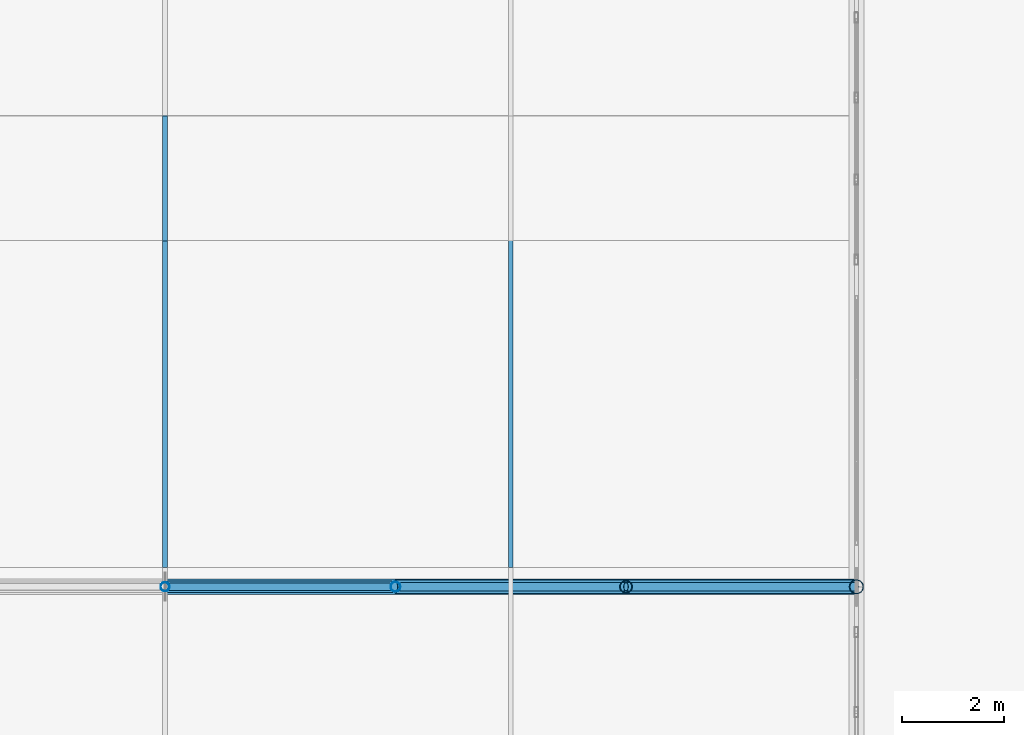
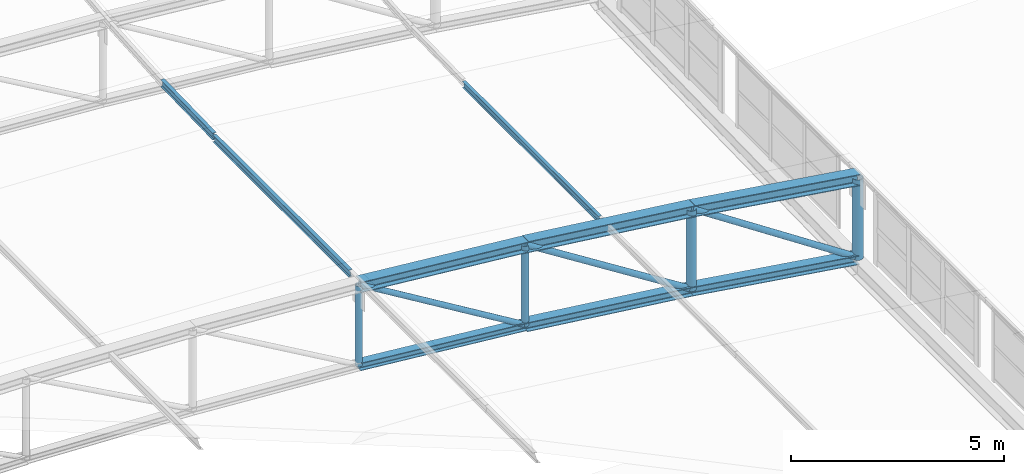
# One storey, part 120 of 262: 16 members.
"""IFC4 building model written with IfcOpenShell, lengths in metres."""

from ifc_helpers import new_model, si_unit, derived_unit, direction, frame, origin, origin_2d, place, context, subcontext, project, spatial, hollow_circle, i_section, extrude, material, material_profile, profile_set, type_object, element, save


model = new_model("IFC4")

# Units and contexts
model_context = context("Model", 3, precision=1e-05, world=origin(), true_north=direction((0.0, 1.0)))
body_context = subcontext(model_context, "Body", "Model", "MODEL_VIEW")
ifc_project = project(units=[si_unit("LENGTHUNIT", "METRE"), si_unit("AREAUNIT", "SQUARE_METRE"), si_unit("VOLUMEUNIT", "CUBIC_METRE"), si_unit("PLANEANGLEUNIT", "RADIAN"), si_unit("MASSUNIT", "GRAM", prefix="KILO"), derived_unit("THERMALTRANSMITTANCEUNIT", [(si_unit("POWERUNIT", "WATT"), 1), (si_unit("LENGTHUNIT", "METRE"), -2), (si_unit("THERMODYNAMICTEMPERATUREUNIT", "KELVIN"), -1)])], contexts=[model_context])

# Site, building, storey
site_placement = place(None, origin())
site = spatial("IfcSite", under=ifc_project, at=site_placement, CompositionType="ELEMENT")
building_placement = place(site_placement, origin())
building = spatial("IfcBuilding", under=site, at=building_placement, Name="Almenara Railside Exhibition Hall", CompositionType="ELEMENT")
storey_placement = place(building_placement, frame((0.0, 0.0, 21.699951171875)))
storey = spatial("IfcBuildingStorey", under=building, at=storey_placement, Name="RF", CompositionType="ELEMENT", Elevation=21.699951171875)

# Members
ifc_material = material(Name="Structural steel S355JR", Category="steel")
ifc_material_profile_1 = material_profile(ifc_material, i_section(OverallWidth=0.300048828125, OverallDepth=0.300048828125, WebThickness=0.010986328125, FlangeThickness=0.01904296875, FilletRadius=0.027099609375, at=origin_2d()), Name="HEB 300")
ifc_profile_set_1 = profile_set([ifc_material_profile_1], Name="Structural steel S355JR")
member_type_1 = type_object("IfcMemberType", Name="Arched Inner Top Chord HEB 300 S355JR", PredefinedType="CHORD", material=ifc_profile_set_1)
member_1_placement = place(storey_placement, frame((52.5, 96.0, 1.550048828125), z_axis=(0.995512933083, 0.0, -0.094625578275), x_axis=(0.0, 1.0, 0.0)))
element("IfcMember", 1, at=member_1_placement, inside=storey, type_object=member_type_1, Name="MEM-TC-V1-04-09", PredefinedType="CHORD", context=body_context, shape_type="SweptSolid", body=[
    extrude(i_section(OverallWidth=0.300048828125, OverallDepth=0.300048828125, WebThickness=0.010986328125, FlangeThickness=0.01904296875, FilletRadius=0.027099609375, at=origin_2d()), origin(), (0.0, 0.0, 1.0), 4.520263671875),
])
ifc_material_profile_2 = material_profile(ifc_material, i_section(OverallWidth=0.260009765625, OverallDepth=0.260009765625, WebThickness=0.010009765625, FlangeThickness=0.017578125, FilletRadius=0.02392578125, at=origin_2d()), Name="HEB 260")
ifc_profile_set_2 = profile_set([ifc_material_profile_2], Name="Structural steel S355JR")
member_type_2 = type_object("IfcMemberType", Name="Arched Truss Bottom Chord HEB 260 S355JR", PredefinedType="CHORD", material=ifc_profile_set_2)
member_2_placement = place(storey_placement, frame((57.0, 96.0, -1.177734375), z_axis=(0.992612220818, 0.0, -0.121330041965), x_axis=(0.0, 1.0, 0.0)))
element("IfcMember", 2, at=member_2_placement, inside=storey, type_object=member_type_2, Name="MEM-BC-V1-04-10", PredefinedType="CHORD", context=body_context, shape_type="SweptSolid", body=[
    extrude(i_section(OverallWidth=0.260009765625, OverallDepth=0.260009765625, WebThickness=0.010009765625, FlangeThickness=0.017578125, FilletRadius=0.02392578125, at=origin_2d()), origin(), (0.0, 0.0, 1.0), 4.533447265625),
])
member_3_placement = place(storey_placement, frame((61.5, 96.0, -1.727783203125), z_axis=(0.9890290442, 0.0, -0.147721189165), x_axis=(0.0, 1.0, 0.0)))
element("IfcMember", 3, at=member_3_placement, inside=storey, type_object=member_type_2, Name="MEM-BC-V1-04-11", PredefinedType="CHORD", context=body_context, shape_type="SweptSolid", body=[
    extrude(i_section(OverallWidth=0.260009765625, OverallDepth=0.260009765625, WebThickness=0.010009765625, FlangeThickness=0.017578125, FilletRadius=0.02392578125, at=origin_2d()), origin(), (0.0, 0.0, 1.0), 4.5498046875),
])
ifc_material_profile_3 = material_profile(ifc_material, i_section(OverallWidth=0.300048828125, OverallDepth=0.320068359375, WebThickness=0.011474609375, FlangeThickness=0.0205078125, FilletRadius=0.027099609375, at=origin_2d()), Name="HEB 320")
ifc_profile_set_3 = profile_set([ifc_material_profile_3], Name="Structural steel S355JR")
member_type_3 = type_object("IfcMemberType", Name="Arched Truss Top Chord HEB 320 S355JR", PredefinedType="CHORD", material=ifc_profile_set_3)
member_4_placement = place(storey_placement, frame((57.0, 96.0, 1.122314453125), z_axis=(0.992612220818, 0.0, -0.121330041965), x_axis=(0.0, 1.0, 0.0)))
element("IfcMember", 4, at=member_4_placement, inside=storey, type_object=member_type_3, Name="MEM-TC-V1-04-10", PredefinedType="CHORD", context=body_context, shape_type="SweptSolid", body=[
    extrude(i_section(OverallWidth=0.300048828125, OverallDepth=0.320068359375, WebThickness=0.011474609375, FlangeThickness=0.0205078125, FilletRadius=0.027099609375, at=origin_2d()), origin(), (0.0, 0.0, 1.0), 4.533447265625),
])
member_5_placement = place(storey_placement, frame((61.5, 96.0, 0.572265625), z_axis=(0.9890290442, 0.0, -0.147721189165), x_axis=(0.0, 1.0, 0.0)))
element("IfcMember", 5, at=member_5_placement, inside=storey, type_object=member_type_3, Name="MEM-TC-V1-04-11", PredefinedType="CHORD", context=body_context, shape_type="SweptSolid", body=[
    extrude(i_section(OverallWidth=0.300048828125, OverallDepth=0.320068359375, WebThickness=0.011474609375, FlangeThickness=0.0205078125, FilletRadius=0.027099609375, at=origin_2d()), origin(), (0.0, 0.0, 1.0), 4.5498046875),
])
ifc_material_profile_4 = material_profile(ifc_material, i_section(OverallWidth=0.091064453125, OverallDepth=0.179931640625, WebThickness=0.00537109375, FlangeThickness=0.008056640625, FilletRadius=0.009033203125, at=origin_2d()), Name="IPE 180")
ifc_profile_set_4 = profile_set([ifc_material_profile_4], Name="Structural steel S355JR")
member_type_4 = type_object("IfcMemberType", Name="Plenary Roof Purlin IPE 180 S355JR", PredefinedType="PURLIN", material=ifc_profile_set_4)
member_6_placement = place(storey_placement, frame((59.25, 96.3798828125, 0.8212890625), z_axis=(0.0, 1.0, 0.0), x_axis=(-1.0, 0.0, 0.0)))
element("IfcMember", 6, at=member_6_placement, inside=storey, type_object=member_type_4, Name="MEM-PR-V1-PR-IPE180-07-15", PredefinedType="PURLIN", context=body_context, shape_type="SweptSolid", body=[
    extrude(i_section(OverallWidth=0.091064453125, OverallDepth=0.179931640625, WebThickness=0.00537109375, FlangeThickness=0.008056640625, FilletRadius=0.009033203125, at=origin_2d()), origin(), (0.0, 0.0, 1.0), 6.379638671875),
])
ifc_material_profile_5 = material_profile(ifc_material, i_section(OverallWidth=0.219970703125, OverallDepth=0.219970703125, WebThickness=0.009521484375, FlangeThickness=0.01611328125, FilletRadius=0.01806640625, at=origin_2d()), Name="HEB 220")
ifc_profile_set_5 = profile_set([ifc_material_profile_5], Name="Structural steel S355JR")
member_type_5 = type_object("IfcMemberType", Name="Scroll Tie Chord HEB 220 S355JR", PredefinedType="CHORD", material=ifc_profile_set_5)
member_7_placement = place(storey_placement, frame((52.5, 96.0, -0.75), z_axis=(0.995512933083, 0.0, -0.094625578275), x_axis=(0.0, 1.0, 0.0)))
element("IfcMember", 7, at=member_7_placement, inside=storey, type_object=member_type_5, Name="MEM-BC-V1-04-09", PredefinedType="CHORD", context=body_context, shape_type="SweptSolid", body=[
    extrude(i_section(OverallWidth=0.219970703125, OverallDepth=0.219970703125, WebThickness=0.009521484375, FlangeThickness=0.01611328125, FilletRadius=0.01806640625, at=origin_2d()), origin(), (0.0, 0.0, 1.0), 4.520263671875),
])
ifc_material_profile_6 = material_profile(ifc_material, i_section(OverallWidth=0.10009765625, OverallDepth=0.199951171875, WebThickness=0.005615234375, FlangeThickness=0.008544921875, FilletRadius=0.011962890625, at=origin_2d()), Name="IPE 200")
ifc_profile_set_6 = profile_set([ifc_material_profile_6], Name="Structural steel S355JR")
member_type_6 = type_object("IfcMemberType", Name="Standard Hall Roof Purlin IPE 200 S355JR", PredefinedType="PURLIN", material=ifc_profile_set_6)
member_8_placement = place(storey_placement, frame((52.5, 96.3798828125, 1.638427734375), z_axis=(0.0, 1.0, 0.0), x_axis=(-1.0, 0.0, 0.0)))
element("IfcMember", 8, at=member_8_placement, inside=storey, type_object=member_type_6, Name="MEM-PR-V1-PR-IPE200-06-15", PredefinedType="PURLIN", context=body_context, shape_type="SweptSolid", body=[
    extrude(i_section(OverallWidth=0.10009765625, OverallDepth=0.199951171875, WebThickness=0.005615234375, FlangeThickness=0.008544921875, FilletRadius=0.011962890625, at=origin_2d()), origin(), (0.0, 0.0, 1.0), 6.379638671875),
])
member_9_placement = place(storey_placement, frame((52.5, 102.759521484375, 1.6884765625), z_axis=(0.0, 0.999725289903, 0.023438104182), x_axis=(-1.0, 0.0, 0.0)))
element("IfcMember", 9, at=member_9_placement, inside=storey, type_object=member_type_6, Name="MEM-PR-V1-PR-IPE200-06-16", PredefinedType="PURLIN", context=body_context, shape_type="SweptSolid", body=[
    extrude(i_section(OverallWidth=0.10009765625, OverallDepth=0.199951171875, WebThickness=0.005615234375, FlangeThickness=0.008544921875, FilletRadius=0.011962890625, at=origin_2d()), origin(), (0.0, 0.0, 1.0), 2.4375),
])
ifc_material_profile_7 = material_profile(ifc_material, hollow_circle(Radius=0.084228515625, WallThickness=0.006103515625, at=origin_2d()), Name="CHS 168.3x6")
ifc_profile_set_7 = profile_set([ifc_material_profile_7], Name="Structural steel S355JR")
member_type_7 = type_object("IfcMemberType", Name="Truss End Diagonal CHS 168.3x6 S355JR", PredefinedType="BRACE", material=ifc_profile_set_7)
member_10_placement = place(storey_placement, frame((57.0, 96.0, 1.122314453125), z_axis=(0.844810788273, 0.0, -0.535065166141), x_axis=(0.0, 1.0, 0.0)))
element("IfcMember", 10, at=member_10_placement, inside=storey, type_object=member_type_7, Name="MEM-TD-V1-04-10", PredefinedType="BRACE", context=body_context, shape_type="SweptSolid", body=[
    extrude(hollow_circle(Radius=0.084228515625, WallThickness=0.006103515625, at=origin_2d()), origin(), (0.0, 0.0, 1.0), 5.32666015625),
])
member_11_placement = place(storey_placement, frame((61.5, 96.0, 0.572265625), z_axis=(0.834424544227, 0.0, -0.551122200598), x_axis=(0.0, 1.0, 0.0)))
element("IfcMember", 11, at=member_11_placement, inside=storey, type_object=member_type_7, Name="MEM-TD-V1-04-11", PredefinedType="BRACE", context=body_context, shape_type="SweptSolid", body=[
    extrude(hollow_circle(Radius=0.084228515625, WallThickness=0.006103515625, at=origin_2d()), origin(), (0.0, 0.0, 1.0), 5.392822265625),
])
ifc_material_profile_8 = material_profile(ifc_material, hollow_circle(Radius=0.122314453125, WallThickness=0.008056640625, at=origin_2d()), Name="CHS 244.5x8")
ifc_profile_set_8 = profile_set([ifc_material_profile_8], Name="Structural steel S355JR")
member_type_8 = type_object("IfcMemberType", Name="Truss Haunch Vertical Strut CHS 244.5x8 S355JR", PredefinedType="BRACE", material=ifc_profile_set_8)
member_12_placement = place(storey_placement, frame((61.5, 96.0, -1.727783203125), z_axis=(0.0, 0.0, 1.0), x_axis=(1.0, 0.0, 0.0)))
element("IfcMember", 12, at=member_12_placement, inside=storey, type_object=member_type_8, Name="MEM-TV-V1-04-11", PredefinedType="BRACE", context=body_context, shape_type="SweptSolid", body=[
    extrude(hollow_circle(Radius=0.122314453125, WallThickness=0.008056640625, at=origin_2d()), origin(), (0.0, 0.0, 1.0), 2.300048828125),
])
ifc_material_profile_9 = material_profile(ifc_material, hollow_circle(Radius=0.076171875, WallThickness=0.0048828125, at=origin_2d()), Name="CHS 152.4x5")
ifc_profile_set_9 = profile_set([ifc_material_profile_9], Name="Structural steel S355JR")
member_type_9 = type_object("IfcMemberType", Name="Truss Mid Diagonal CHS 152.4x5 S355JR", PredefinedType="BRACE", material=ifc_profile_set_9)
member_13_placement = place(storey_placement, frame((52.5, 96.0, 1.550048828125), z_axis=(0.855154829777, 0.0, -0.518372662386), x_axis=(0.0, 1.0, 0.0)))
element("IfcMember", 13, at=member_13_placement, inside=storey, type_object=member_type_9, Name="MEM-TD-V1-04-09", PredefinedType="BRACE", context=body_context, shape_type="SweptSolid", body=[
    extrude(hollow_circle(Radius=0.076171875, WallThickness=0.0048828125, at=origin_2d()), origin(), (0.0, 0.0, 1.0), 5.26220703125),
])
ifc_material_profile_10 = material_profile(ifc_material, hollow_circle(Radius=0.0888671875, WallThickness=0.006103515625, at=origin_2d()), Name="CHS 177.8x6")
ifc_profile_set_10 = profile_set([ifc_material_profile_10], Name="Structural steel S355JR")
member_type_10 = type_object("IfcMemberType", Name="Truss Quarter Vertical Strut CHS 177.8x6 S355JR", PredefinedType="BRACE", material=ifc_profile_set_10)
member_14_placement = place(storey_placement, frame((52.5, 96.0, -0.75), z_axis=(0.0, 0.0, 1.0), x_axis=(1.0, 0.0, 0.0)))
element("IfcMember", 14, at=member_14_placement, inside=storey, type_object=member_type_10, Name="MEM-TV-V1-04-09", PredefinedType="BRACE", context=body_context, shape_type="SweptSolid", body=[
    extrude(hollow_circle(Radius=0.0888671875, WallThickness=0.006103515625, at=origin_2d()), origin(), (0.0, 0.0, 1.0), 2.300048828125),
])
ifc_material_profile_11 = material_profile(ifc_material, hollow_circle(Radius=0.096923828125, WallThickness=0.00634765625, at=origin_2d()), Name="CHS 193.7x6.3")
ifc_profile_set_11 = profile_set([ifc_material_profile_11], Name="Structural steel S355JR")
member_type_11 = type_object("IfcMemberType", Name="Truss Standard Vertical Strut CHS 193.7x6.3 S355JR", PredefinedType="BRACE", material=ifc_profile_set_11)
member_15_placement = place(storey_placement, frame((57.0, 96.0, -1.177734375), z_axis=(0.0, 0.0, 1.0), x_axis=(1.0, 0.0, 0.0)))
element("IfcMember", 15, at=member_15_placement, inside=storey, type_object=member_type_11, Name="MEM-TV-V1-04-10", PredefinedType="BRACE", context=body_context, shape_type="SweptSolid", body=[
    extrude(hollow_circle(Radius=0.096923828125, WallThickness=0.00634765625, at=origin_2d()), origin(), (0.0, 0.0, 1.0), 2.300048828125),
])
ifc_material_profile_12 = material_profile(ifc_material, hollow_circle(Radius=0.136474609375, WallThickness=0.008056640625, at=origin_2d()), Name="CHS 273x8")
ifc_profile_set_12 = profile_set([ifc_material_profile_12], Name="Structural steel S355JR")
member_type_12 = type_object("IfcMemberType", Name="Truss Support Vertical Strut CHS 273x8 S355JR", PredefinedType="BRACE", material=ifc_profile_set_12)
member_16_placement = place(storey_placement, frame((66.0, 96.0, -2.39990234375), z_axis=(0.0, 0.0, 1.0), x_axis=(1.0, 0.0, 0.0)))
element("IfcMember", 16, at=member_16_placement, inside=storey, type_object=member_type_12, Name="MEM-TV-V1-04-12", PredefinedType="BRACE", context=body_context, shape_type="SweptSolid", body=[
    extrude(hollow_circle(Radius=0.136474609375, WallThickness=0.008056640625, at=origin_2d()), origin(), (0.0, 0.0, 1.0), 2.300048828125),
])

save(model, "model.ifc")
